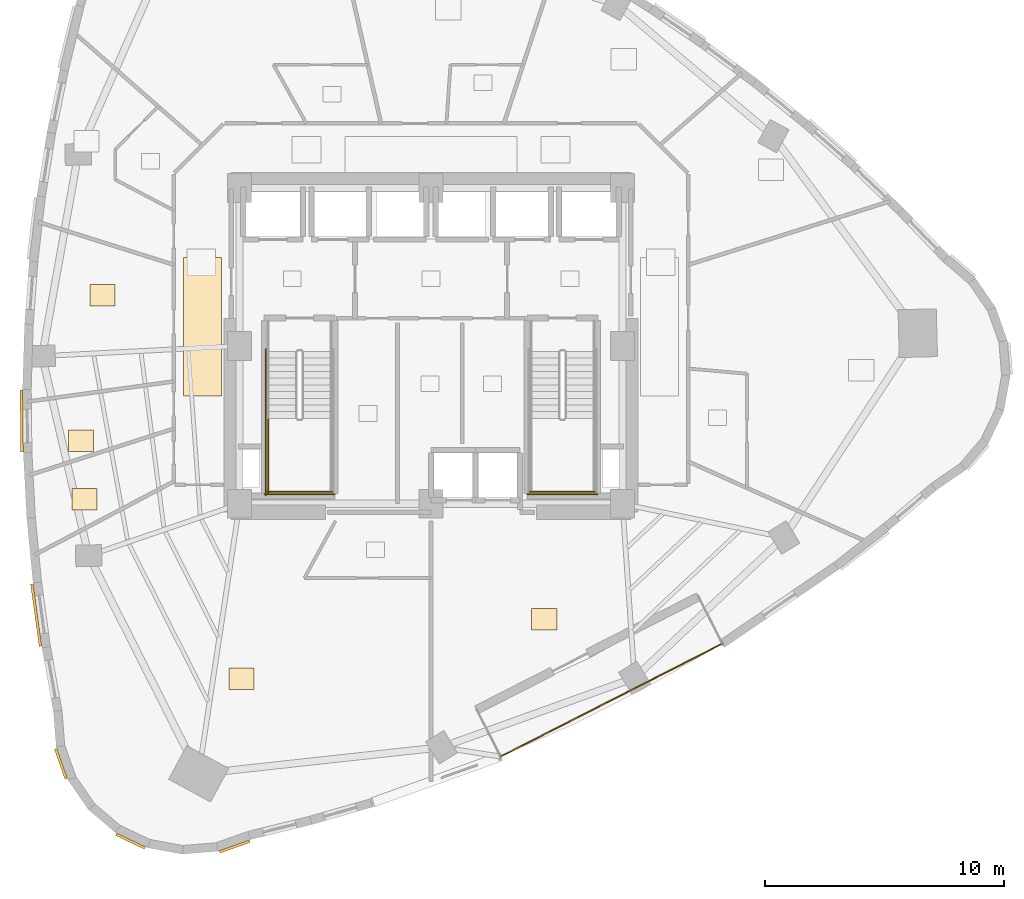
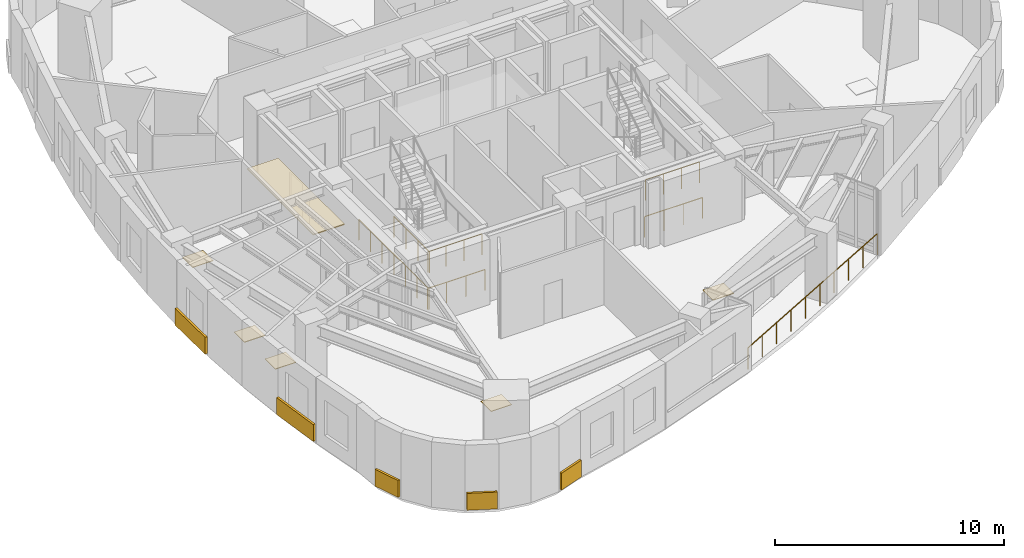
# One storey, part 9 of 11: 11 coverings, 7 railings.
"""IFC4 building model written with IfcOpenShell, lengths in metres."""

from ifc_helpers import new_model, si_unit, direction, frame, origin, origin_2d, place, context, subcontext, project, spatial, rectangle, circle, extrude, material, layer, layer_set, type_object, element, save


model = new_model("IFC4")

# Units and contexts
model_context = context("Model", 3, precision=1e-05, world=origin(), true_north=direction((0.0, 1.0)))
body_context = subcontext(model_context, "Body", "Model", "MODEL_VIEW")
ifc_project = project(units=[si_unit("LENGTHUNIT", "METRE"), si_unit("AREAUNIT", "SQUARE_METRE"), si_unit("VOLUMEUNIT", "CUBIC_METRE"), si_unit("PLANEANGLEUNIT", "RADIAN"), si_unit("MASSUNIT", "GRAM", prefix="KILO")], contexts=[model_context])

# Site, building, storey
site_placement = place(None, origin())
site = spatial("IfcSite", under=ifc_project, at=site_placement, CompositionType="ELEMENT")
building_placement = place(site_placement, origin())
building = spatial("IfcBuilding", under=site, at=building_placement, Name="Ndelora Gate Hotel", CompositionType="ELEMENT")
storey_placement = place(building_placement, frame((0.0, 0.0, 116.0)))
storey = spatial("IfcBuildingStorey", under=building, at=storey_placement, Name="L28", CompositionType="ELEMENT", Elevation=116.0)

# Coverings
ifc_material_1 = material(Name="Perforated Acoustic Gypsum Board", Category="gypsum")
ifc_layer_1 = layer(ifc_material_1, 0.054931640625)
ifc_layer_set_1 = layer_set([ifc_layer_1], Name="Perforated Acoustic Gypsum Board")
covering_type_1 = type_object("IfcCoveringType", Name="COV-CEIL-AC60", PredefinedType="CEILING", material=ifc_layer_set_1)
covering_1_placement = place(storey_placement, frame((-9.550048828125, 0.800048828125, 2.65234375), z_axis=(0.0, 0.0, 1.0), x_axis=(1.0, 0.0, 0.0)))
element("IfcCovering", 1, at=covering_1_placement, inside=storey, type_object=covering_type_1, Name="L28 Guest Corridor Acoustic Ceiling W", PredefinedType="CEILING", context=body_context, shape_type="SweptSolid", body=[
    extrude(rectangle(XDim=1.580078125, YDim=5.800048828125, at=origin_2d()), origin(), (0.0, 0.0, 1.0), 0.054931640625),
])
ifc_material_2 = material(Name="Terracotta Fired Clay Brick Slip Cladding", Category="masonry")
ifc_layer_2 = layer(ifc_material_2, 0.110107421875)
ifc_layer_set_2 = layer_set([ifc_layer_2], Name="Terracotta Fired Clay Brick Slip Cladding")
covering_type_2 = type_object("IfcCoveringType", Name="COV-CLAD-BRK", PredefinedType="CLADDING", material=ifc_layer_set_2)
covering_2_placement = place(storey_placement, frame((-17.108642578125, -3.14208984375, 0.10009765625), z_axis=(0.0, 0.0, 1.0), x_axis=(-0.011344396795, 0.99993565026, 0.0)))
element("IfcCovering", 2, at=covering_2_placement, inside=storey, type_object=covering_type_2, Name="L28 Rounded-Corner Brick Cladding Band 16", PredefinedType="CLADDING", context=body_context, shape_type="SweptSolid", body=[
    extrude(rectangle(XDim=2.583984375, YDim=0.110107421875, at=origin_2d()), origin(), (0.0, 0.0, 1.0), 0.89990234375),
])
covering_3_placement = place(storey_placement, frame((-16.503662109375, -11.250732421875, 0.10009765625), z_axis=(0.0, 0.0, 1.0), x_axis=(-0.136234308163, 0.990676644158, 0.0)))
element("IfcCovering", 3, at=covering_3_placement, inside=storey, type_object=covering_type_2, Name="L28 Rounded-Corner Brick Cladding Band 19", PredefinedType="CLADDING", context=body_context, shape_type="SweptSolid", body=[
    extrude(rectangle(XDim=2.6279296875, YDim=0.110107421875, at=origin_2d()), origin(), (0.0, 0.0, 1.0), 0.89990234375),
])
for number, where, z_axis, x_axis, name in (
    (4, (-15.468994140625, -17.464111328125, 0.10009765625), (0.0, 0.0, 1.0), (-0.333806859234, 0.942641491092, 0.0), "L28 Rounded-Corner Brick Cladding Band 22"),
    (5, (-12.556884765625, -20.698486328125, 0.10009765625), (0.0, 0.0, 1.0), (-0.90258528435, 0.430511096808, 0.0), "L28 Rounded-Corner Brick Cladding Band 25"),
    (6, (-8.21044921875, -20.92626953125, 0.10009765625), (0.0, 0.0, 1.0), (0.942641491092, 0.333806859234, 0.0), "L28 Rounded-Corner Brick Cladding Band 28"),
):
    element("IfcCovering", number, at=place(storey_placement, frame(where, z_axis=z_axis, x_axis=x_axis)), inside=storey, type_object=covering_type_2, Name=name, PredefinedType="CLADDING", context=body_context, shape_type="SweptSolid", body=[
        extrude(rectangle(XDim=1.3359375, YDim=0.110107421875, at=origin_2d()), origin(), (0.0, 0.0, 1.0), 0.89990234375),
    ])
ifc_material_3 = material(Name="Engineered Highland Oak Parquet", Category="wood")
ifc_layer_3 = layer(ifc_material_3, 0.030029296875)
ifc_layer_set_3 = layer_set([ifc_layer_3], Name="Engineered Highland Oak Parquet")
covering_type_3 = type_object("IfcCoveringType", Name="COV-FLR-PARQ", PredefinedType="FLOORING", material=ifc_layer_set_3)
for number, where, z_axis, x_axis, name in (
    (7, (-7.922119140625, -13.91748046875, 0.0), (0.0, 0.0, 1.0), (1.0, 0.0, 0.0), "L28 Club Executive Suite 3101 Oak Parquet Flooring"),
    (8, (4.731201171875, -11.42529296875, 0.0), (0.0, 0.0, 1.0), (1.0, 0.0, 0.0), "L28 Sky Garden Tea Dining Room Oak Parquet Flooring"),
    (9, (-13.73291015625, 2.12060546875, 0.0), (0.0, 0.0, 1.0), (1.0, 0.0, 0.0), "L28 Club Study Office Oak Parquet Flooring"),
    (10, (-14.625244140625, -3.95458984375, 0.0), (0.0, 0.0, 1.0), (1.0, 0.0, 0.0), "L28 Housekeeping and Linen Room Oak Parquet Flooring"),
    (11, (-14.4765625, -6.40625, 0.0), (0.0, 0.0, 1.0), (1.0, 0.0, 0.0), "L28 Accessible WC Oak Parquet Flooring"),
):
    element("IfcCovering", number, at=place(storey_placement, frame(where, z_axis=z_axis, x_axis=x_axis)), inside=storey, type_object=covering_type_3, Name=name, PredefinedType="FLOORING", context=body_context, shape_type="SweptSolid", body=[
        extrude(rectangle(XDim=1.050048828125, YDim=0.89990234375, at=origin_2d()), origin(), (0.0, 0.0, 1.0), 0.030029296875),
    ])

# Railings
ifc_material_4 = material(Name="Laminated Safety Glass and Bronze Top Rail", Category="glass")
ifc_layer_4 = layer(ifc_material_4, 0.070068359375)
ifc_layer_set_4 = layer_set([ifc_layer_4], Name="Laminated Safety Glass and Bronze Top Rail")
railing_type_1 = type_object("IfcRailingType", Name="RL-BAL-1150", PredefinedType="BALUSTRADE", material=ifc_layer_set_4)
railing_1_placement = place(storey_placement, frame((2.91015625, -17.165283203125, 0.0)))
element("IfcRailing", 12, at=railing_1_placement, inside=storey, type_object=railing_type_1, Name="L28 Sky-Garden Loggia Terrace Balustrade", PredefinedType="BALUSTRADE", context=body_context, shape_type="SweptSolid", body=[
    extrude(circle(Radius=0.02392578125, at=origin_2d()), frame((0.0, 0.0, 1.1357421875), z_axis=(0.891006889171, 0.453989783419, 0.0), x_axis=(-0.453989783419, 0.891006889171, 0.0)), (0.0, 0.0, 1.0), 10.39990234375),
    extrude(circle(Radius=0.02099609375, at=origin_2d()), origin(), (0.0, 0.0, 1.0), 1.11181640625),
    extrude(circle(Radius=0.02099609375, at=origin_2d()), frame((1.029541015625, 0.524658203125, 0.0)), (0.0, 0.0, 1.0), 1.11181640625),
    extrude(circle(Radius=0.02099609375, at=origin_2d()), frame((2.05908203125, 1.04931640625, 0.0)), (0.0, 0.0, 1.0), 1.11181640625),
    extrude(circle(Radius=0.02099609375, at=origin_2d()), frame((3.0888671875, 1.57373046875, 0.0)), (0.0, 0.0, 1.0), 1.11181640625),
    extrude(circle(Radius=0.02099609375, at=origin_2d()), frame((4.118408203125, 2.098388671875, 0.0)), (0.0, 0.0, 1.0), 1.11181640625),
    extrude(circle(Radius=0.02099609375, at=origin_2d()), frame((5.14794921875, 2.623046875, 0.0)), (0.0, 0.0, 1.0), 1.11181640625),
    extrude(circle(Radius=0.02099609375, at=origin_2d()), frame((6.177490234375, 3.147705078125, 0.0)), (0.0, 0.0, 1.0), 1.11181640625),
    extrude(circle(Radius=0.02099609375, at=origin_2d()), frame((7.207275390625, 3.672119140625, 0.0)), (0.0, 0.0, 1.0), 1.11181640625),
    extrude(circle(Radius=0.02099609375, at=origin_2d()), frame((8.23681640625, 4.19677734375, 0.0)), (0.0, 0.0, 1.0), 1.11181640625),
    extrude(circle(Radius=0.02099609375, at=origin_2d()), frame((9.266357421875, 4.721435546875, 0.0)), (0.0, 0.0, 1.0), 1.11181640625),
])
ifc_material_5 = material(Name="Painted Galvanized Steel Balustrade", Category="steel")
ifc_layer_5 = layer(ifc_material_5, 0.06005859375)
ifc_layer_set_5 = layer_set([ifc_layer_5], Name="Painted Galvanized Steel Balustrade")
railing_type_2 = type_object("IfcRailingType", Name="RL-STAIR-GD", PredefinedType="GUARDRAIL", material=ifc_layer_set_5)
railing_2_placement = place(storey_placement, frame((-6.800048828125, -3.030029296875, 1.875)))
element("IfcRailing", 13, at=railing_2_placement, inside=storey, type_object=railing_type_2, Name="L28 ST4 stair guard 3", PredefinedType="GUARDRAIL", context=body_context, shape_type="SweptSolid", body=[
    extrude(circle(Radius=0.02392578125, at=origin_2d()), frame((0.0, 0.0, 1.10595703125), z_axis=(0.0, -1.0, 0.0), x_axis=(1.0, 0.0, 0.0)), (0.0, 0.0, 1.0), 3.119873046875),
    extrude(circle(Radius=0.02099609375, at=origin_2d()), origin(), (0.0, 0.0, 1.0), 1.081787109375),
    extrude(circle(Radius=0.02099609375, at=origin_2d()), frame((0.0, -1.0400390625, 0.0)), (0.0, 0.0, 1.0), 1.081787109375),
    extrude(circle(Radius=0.02099609375, at=origin_2d()), frame((0.0, -2.079833984375, 0.0)), (0.0, 0.0, 1.0), 1.081787109375),
    extrude(circle(Radius=0.02099609375, at=origin_2d()), frame((0.0, -3.119873046875, 0.0)), (0.0, 0.0, 1.0), 1.081787109375),
])
railing_3_placement = place(storey_placement, frame((-6.85009765625, -6.10009765625, 1.875)))
element("IfcRailing", 14, at=railing_3_placement, inside=storey, type_object=railing_type_2, Name="L28 ST4 stair guard 5", PredefinedType="GUARDRAIL", context=body_context, shape_type="SweptSolid", body=[
    extrude(circle(Radius=0.02392578125, at=origin_2d()), frame((0.0, 0.0, 1.10595703125), z_axis=(1.0, 0.0, 0.0), x_axis=(0.0, 1.0, 0.0)), (0.0, 0.0, 1.0), 2.72021484375),
    extrude(circle(Radius=0.02099609375, at=origin_2d()), origin(), (0.0, 0.0, 1.0), 1.081787109375),
    extrude(circle(Radius=0.02099609375, at=origin_2d()), frame((0.90673828125, 0.0, 0.0)), (0.0, 0.0, 1.0), 1.081787109375),
    extrude(circle(Radius=0.02099609375, at=origin_2d()), frame((1.8134765625, 0.0, 0.0)), (0.0, 0.0, 1.0), 1.081787109375),
    extrude(circle(Radius=0.02099609375, at=origin_2d()), frame((2.72021484375, 0.0, 0.0)), (0.0, 0.0, 1.0), 1.081787109375),
])
railing_4_placement = place(storey_placement, frame((-6.89990234375, -0.1298828125, 0.0)))
element("IfcRailing", 15, at=railing_4_placement, inside=storey, type_object=railing_type_2, Name="L28 ST4 stair guard 10", PredefinedType="GUARDRAIL", context=body_context, shape_type="SweptSolid", body=[
    extrude(circle(Radius=0.02392578125, at=origin_2d()), frame((0.0, 0.0, 1.10595703125), z_axis=(0.0, -1.0, 0.0), x_axis=(1.0, 0.0, 0.0)), (0.0, 0.0, 1.0), 6.1201171875),
    extrude(circle(Radius=0.02099609375, at=origin_2d()), origin(), (0.0, 0.0, 1.0), 1.081787109375),
    extrude(circle(Radius=0.02099609375, at=origin_2d()), frame((0.0, -1.02001953125, 0.0)), (0.0, 0.0, 1.0), 1.081787109375),
    extrude(circle(Radius=0.02099609375, at=origin_2d()), frame((0.0, -2.0400390625, 0.0)), (0.0, 0.0, 1.0), 1.081787109375),
    extrude(circle(Radius=0.02099609375, at=origin_2d()), frame((0.0, -3.06005859375, 0.0)), (0.0, 0.0, 1.0), 1.081787109375),
    extrude(circle(Radius=0.02099609375, at=origin_2d()), frame((0.0, -4.080078125, 0.0)), (0.0, 0.0, 1.0), 1.081787109375),
    extrude(circle(Radius=0.02099609375, at=origin_2d()), frame((0.0, -5.10009765625, 0.0)), (0.0, 0.0, 1.0), 1.081787109375),
    extrude(circle(Radius=0.02099609375, at=origin_2d()), frame((0.0, -6.1201171875, 0.0)), (0.0, 0.0, 1.0), 1.081787109375),
])
railing_5_placement = place(storey_placement, frame((-6.949951171875, -6.199951171875, 0.0)))
element("IfcRailing", 16, at=railing_5_placement, inside=storey, type_object=railing_type_2, Name="L28 ST4 stair guard 12", PredefinedType="GUARDRAIL", context=body_context, shape_type="SweptSolid", body=[
    extrude(circle(Radius=0.02392578125, at=origin_2d()), frame((0.0, 0.0, 1.10595703125), z_axis=(1.0, 0.0, 0.0), x_axis=(0.0, 1.0, 0.0)), (0.0, 0.0, 1.0), 2.919921875),
    extrude(circle(Radius=0.02099609375, at=origin_2d()), origin(), (0.0, 0.0, 1.0), 1.081787109375),
    extrude(circle(Radius=0.02099609375, at=origin_2d()), frame((0.973388671875, 0.0, 0.0)), (0.0, 0.0, 1.0), 1.081787109375),
    extrude(circle(Radius=0.02099609375, at=origin_2d()), frame((1.946533203125, 0.0, 0.0)), (0.0, 0.0, 1.0), 1.081787109375),
    extrude(circle(Radius=0.02099609375, at=origin_2d()), frame((2.919921875, 0.0, 0.0)), (0.0, 0.0, 1.0), 1.081787109375),
])
railing_6_placement = place(storey_placement, frame((4.1298828125, -6.10009765625, 1.875)))
element("IfcRailing", 17, at=railing_6_placement, inside=storey, type_object=railing_type_2, Name="L28 ST5 stair guard 5", PredefinedType="GUARDRAIL", context=body_context, shape_type="SweptSolid", body=[
    extrude(circle(Radius=0.02392578125, at=origin_2d()), frame((0.0, 0.0, 1.10595703125), z_axis=(1.0, 0.0, 0.0), x_axis=(0.0, 1.0, 0.0)), (0.0, 0.0, 1.0), 2.72021484375),
    extrude(circle(Radius=0.02099609375, at=origin_2d()), origin(), (0.0, 0.0, 1.0), 1.081787109375),
    extrude(circle(Radius=0.02099609375, at=origin_2d()), frame((0.90673828125, 0.0, 0.0)), (0.0, 0.0, 1.0), 1.081787109375),
    extrude(circle(Radius=0.02099609375, at=origin_2d()), frame((1.8134765625, 0.0, 0.0)), (0.0, 0.0, 1.0), 1.081787109375),
    extrude(circle(Radius=0.02099609375, at=origin_2d()), frame((2.72021484375, 0.0, 0.0)), (0.0, 0.0, 1.0), 1.081787109375),
])
railing_7_placement = place(storey_placement, frame((4.030029296875, -6.199951171875, 0.0)))
element("IfcRailing", 18, at=railing_7_placement, inside=storey, type_object=railing_type_2, Name="L28 ST5 stair guard 12", PredefinedType="GUARDRAIL", context=body_context, shape_type="SweptSolid", body=[
    extrude(circle(Radius=0.02392578125, at=origin_2d()), frame((0.0, 0.0, 1.10595703125), z_axis=(1.0, 0.0, 0.0), x_axis=(0.0, 1.0, 0.0)), (0.0, 0.0, 1.0), 2.919921875),
    extrude(circle(Radius=0.02099609375, at=origin_2d()), origin(), (0.0, 0.0, 1.0), 1.081787109375),
    extrude(circle(Radius=0.02099609375, at=origin_2d()), frame((0.973388671875, 0.0, 0.0)), (0.0, 0.0, 1.0), 1.081787109375),
    extrude(circle(Radius=0.02099609375, at=origin_2d()), frame((1.946533203125, 0.0, 0.0)), (0.0, 0.0, 1.0), 1.081787109375),
    extrude(circle(Radius=0.02099609375, at=origin_2d()), frame((2.919921875, 0.0, 0.0)), (0.0, 0.0, 1.0), 1.081787109375),
])

save(model, "model.ifc")
